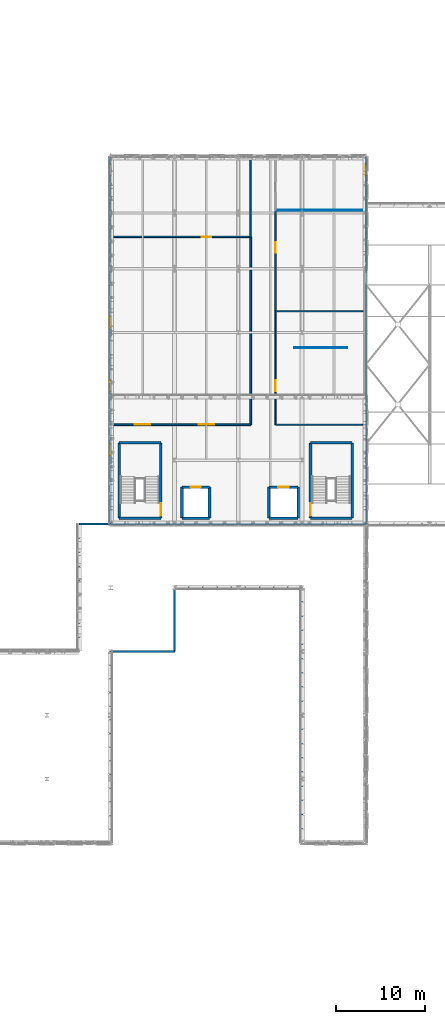
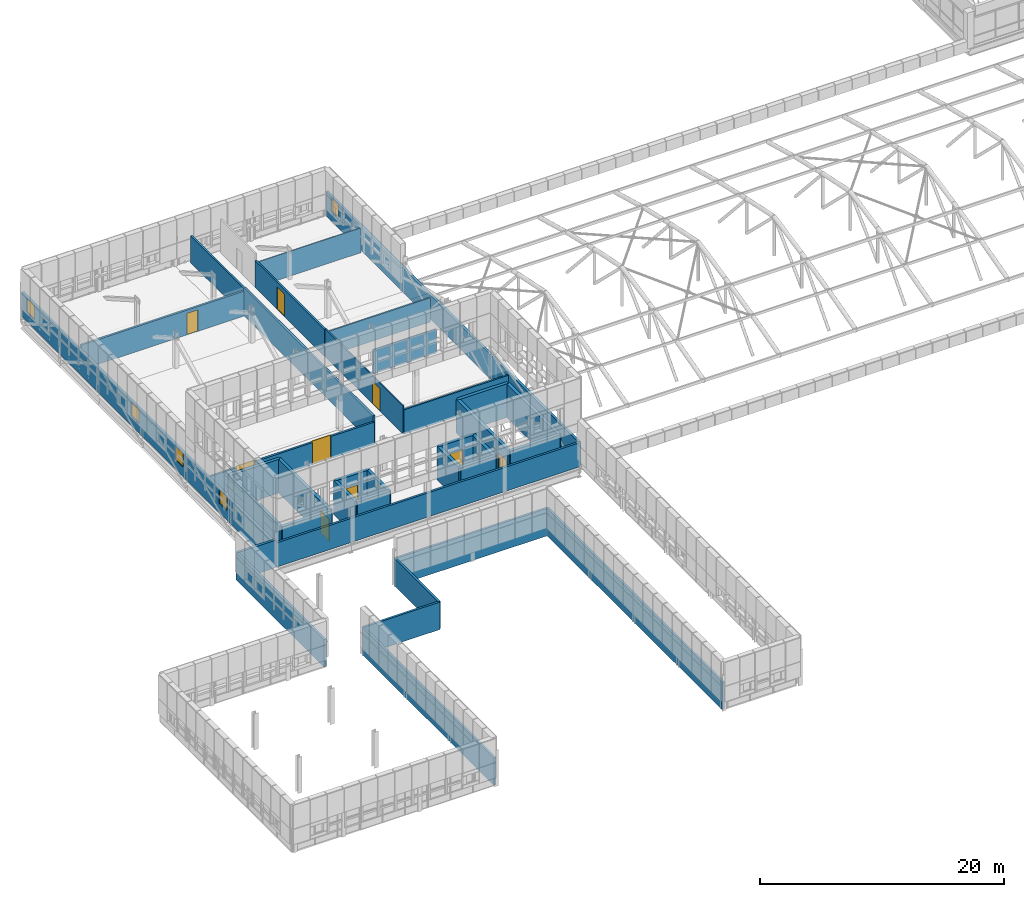
# One storey, part 57 of 96: 36 walls, 9 doors, 5 windows, 14 openings.
"""IFC4 building model written with IfcOpenShell, lengths in metres."""

from ifc_helpers import new_model, si_unit, direction, frame, frame_2d, origin, place, context, subcontext, project, spatial, rectangle, extrude, material, layer, layer_set, type_object, element, fill, save


model = new_model("IFC4")

# Units and contexts
model_context = context("Model", 3, precision=1e-05, world=origin(), true_north=direction((0.0, 1.0)))
body_context = subcontext(model_context, "Body", "Model", "MODEL_VIEW")
ifc_project = project(units=[si_unit("LENGTHUNIT", "METRE"), si_unit("AREAUNIT", "SQUARE_METRE"), si_unit("VOLUMEUNIT", "CUBIC_METRE"), si_unit("PLANEANGLEUNIT", "RADIAN"), si_unit("MASSUNIT", "GRAM", prefix="KILO")], contexts=[model_context])

# Site, building, storey
site_placement = place(None, origin())
site = spatial("IfcSite", under=ifc_project, at=site_placement, CompositionType="ELEMENT")
building_placement = place(site_placement, origin())
building = spatial("IfcBuilding", under=site, at=building_placement, Name="Yarey Park Central Fire Station", CompositionType="ELEMENT")
storey_placement = place(building_placement, frame((0.0, 0.0, 14.39990234375)))
storey = spatial("IfcBuildingStorey", under=building, at=storey_placement, Name="L04", CompositionType="ELEMENT", Elevation=14.39990234375)

# Walls
ifc_material_1 = material(Name="Concrete C35/45", Category="concrete")
ifc_layer_1 = layer(ifc_material_1, 0.205078125)
ifc_layer_set_1 = layer_set([ifc_layer_1], Name="Concrete C35/45")
wall_type_1 = type_object("IfcWallType", Name="ENV_WALL_INS205", PredefinedType="STANDARD", material=ifc_layer_set_1)
wall_1_placement = place(storey_placement, frame((36.0, 50.39990234375, 0.0), z_axis=(0.0, 0.0, 1.0), x_axis=(1.0, 0.0, 0.0)))
element("IfcWall", 1, at=wall_1_placement, inside=storey, type_object=wall_type_1, Name="EW_L04_CTYD_N", PredefinedType="STANDARD", context=body_context, shape_type="SweptSolid", body=[
    extrude(rectangle(XDim=14.39990234375, YDim=0.205078125, at=frame_2d((7.199951171875, 0.0))), origin(), (0.0, 0.0, 1.0), 2.75),
])
wall_2_placement = place(storey_placement, frame((28.800048828125, 21.60009765625, 0.0), z_axis=(0.0, 0.0, 1.0), x_axis=(0.0, 1.0, 0.0)))
element("IfcWall", 2, at=wall_2_placement, inside=storey, type_object=wall_type_1, Name="EW_L04_CTYD_W1", PredefinedType="STANDARD", context=body_context, shape_type="SweptSolid", body=[
    extrude(rectangle(XDim=21.599853515625, YDim=0.205078125, at=frame_2d((10.7998046875, 0.0))), origin(), (0.0, 0.0, 1.0), 2.75),
])
for number, where, z_axis, x_axis, name in (
    (3, (28.800048828125, 43.199951171875, 0.0), (0.0, 0.0, 1.0), (1.0, 0.0, 0.0), "EW_L04_CTYD_WS"),
    (4, (36.0, 43.199951171875, 0.0), (0.0, 0.0, 1.0), (0.0, 1.0, 0.0), "EW_L04_CTYD_W2"),
):
    element("IfcWall", number, at=place(storey_placement, frame(where, z_axis=z_axis, x_axis=x_axis)), inside=storey, type_object=wall_type_1, Name=name, PredefinedType="STANDARD", context=body_context, shape_type="SweptSolid", body=[
        extrude(rectangle(XDim=7.199951171875, YDim=0.205078125, at=frame_2d((3.60009765625, 0.0))), origin(), (0.0, 0.0, 1.0), 2.75),
    ])
wall_3_placement = place(storey_placement, frame((50.39990234375, 50.39990234375, 0.0), z_axis=(0.0, 0.0, 1.0), x_axis=(0.0, -1.0, 0.0)))
element("IfcWall", 5, at=wall_3_placement, inside=storey, type_object=wall_type_1, Name="EW_L04_CTYD_E", PredefinedType="STANDARD", context=body_context, shape_type="SweptSolid", body=[
    extrude(rectangle(XDim=28.7998046875, YDim=0.205078125, at=frame_2d((14.39990234375, 0.0))), origin(), (0.0, 0.0, 1.0), 2.75),
])
wall_4_placement = place(storey_placement, frame((28.800048828125, 57.60009765625, 0.0), z_axis=(0.0, 0.0, 1.0), x_axis=(1.0, 0.0, 0.0)))
element("IfcWall", 6, at=wall_4_placement, inside=storey, type_object=wall_type_1, Name="EW_L04_DH_SEP", PredefinedType="STANDARD", context=body_context, shape_type="SweptSolid", body=[
    extrude(rectangle(XDim=28.800048828125, YDim=0.205078125, at=frame_2d((14.39990234375, 0.0))), origin(), (0.0, 0.0, 1.0), 2.420166015625),
])
ifc_layer_2 = layer(ifc_material_1, 0.22998046875)
ifc_layer_set_2 = layer_set([ifc_layer_2], Name="Concrete C35/45")
wall_type_2 = type_object("IfcWallType", Name="ENV_WALL_INS230", PredefinedType="STANDARD", material=ifc_layer_set_2)
wall_5_placement = place(storey_placement, frame((28.800048828125, 57.60009765625, 0.0), z_axis=(0.0, 0.0, 1.0), x_axis=(-1.0, 0.0, 0.0)))
element("IfcWall", 7, at=wall_5_placement, inside=storey, type_object=wall_type_2, Name="EW_L04_V1_STEP_W", PredefinedType="STANDARD", context=body_context, shape_type="SweptSolid", body=[
    extrude(rectangle(XDim=3.60009765625, YDim=0.22998046875, at=frame_2d((1.800048828125, 0.0))), origin(), (0.0, 0.0, 1.0), 2.75),
])
wall_6_placement = place(storey_placement, frame((25.199951171875, 57.60009765625, 0.0), z_axis=(0.0, 0.0, 1.0), x_axis=(0.0, -1.0, 0.0)))
element("IfcWall", 8, at=wall_6_placement, inside=storey, type_object=wall_type_2, Name="EW_L04_V1_W_COR", PredefinedType="STANDARD", context=body_context, shape_type="SweptSolid", body=[
    extrude(rectangle(XDim=14.400146484375, YDim=0.22998046875, at=frame_2d((7.2001953125, 0.0))), origin(), (0.0, 0.0, 1.0), 2.75),
])

# Wall, openings, windows
wall_7_placement = place(storey_placement, frame((28.800048828125, 99.0, 0.0), z_axis=(0.0, 0.0, 1.0), x_axis=(0.0, -1.0, 0.0)))
wall_7 = element("IfcWall", 9, at=wall_7_placement, inside=storey, type_object=wall_type_2, Name="EW_L04_V3_W", PredefinedType="STANDARD", context=body_context, shape_type="SweptSolid", body=[
    extrude(rectangle(XDim=41.39990234375, YDim=0.22998046875, at=frame_2d((20.699951171875, 0.0))), origin(), (0.0, 0.0, 1.0), 2.420166015625),
])
opening_1_placement = place(wall_7_placement, frame((32.389892578125, 0.0, 0.949951171875)))
opening_1 = element("IfcOpeningElement", 10, at=opening_1_placement, cuts=wall_7, Name="Opening WN-DT126", PredefinedType="OPENING", context=body_context, shape_type="SweptSolid", body=[
    extrude(rectangle(XDim=1.260009765625, YDim=1.3798828125, at=frame_2d((0.6298828125, 0.68994140625))), frame((0.0, 0.125, 0.0), z_axis=(0.0, -1.0, 0.0), x_axis=(1.0, 0.0, 0.0)), (0.0, 0.0, 1.0), 0.25),
])
opening_2_placement = place(wall_7_placement, frame((25.18994140625, 0.0, 0.949951171875)))
opening_2 = element("IfcOpeningElement", 11, at=opening_2_placement, cuts=wall_7, Name="Opening WN-DT126", PredefinedType="OPENING", context=body_context, shape_type="SweptSolid", body=[
    extrude(rectangle(XDim=1.260009765625, YDim=1.3798828125, at=frame_2d((0.6298828125, 0.68994140625))), frame((0.0, 0.125, 0.0), z_axis=(0.0, -1.0, 0.0), x_axis=(1.0, 0.0, 0.0)), (0.0, 0.0, 1.0), 0.25),
])
opening_3_placement = place(wall_7_placement, frame((17.989990234375, 0.0, 0.949951171875)))
opening_3 = element("IfcOpeningElement", 12, at=opening_3_placement, cuts=wall_7, Name="Opening WN-DT126", PredefinedType="OPENING", context=body_context, shape_type="SweptSolid", body=[
    extrude(rectangle(XDim=1.260009765625, YDim=1.3798828125, at=frame_2d((0.6298828125, 0.68994140625))), frame((0.0, 0.125, 0.0), z_axis=(0.0, -1.0, 0.0), x_axis=(1.0, 0.0, 0.0)), (0.0, 0.0, 1.0), 0.25),
])
opening_4_placement = place(wall_7_placement, frame((0.840087890625, 0.0, 0.949951171875)))
opening_4 = element("IfcOpeningElement", 13, at=opening_4_placement, cuts=wall_7, Name="Opening WN-DT126", PredefinedType="OPENING", context=body_context, shape_type="SweptSolid", body=[
    extrude(rectangle(XDim=1.260009765625, YDim=1.3798828125, at=frame_2d((0.6298828125, 0.68994140625))), frame((0.0, 0.125, 0.0), z_axis=(0.0, -1.0, 0.0), x_axis=(1.0, 0.0, 0.0)), (0.0, 0.0, 1.0), 0.25),
])
ifc_material_2 = material(Name="Laminated Hurricane Low-E Glass", Category="glass")
window_type = type_object("IfcWindowType", Name="ENV_WIN_DT_126", PartitioningType="SINGLE_PANEL", PredefinedType="WINDOW", material=ifc_material_2)
window_1_placement = place(opening_1_placement, origin())
window_1 = element("IfcWindow", 14, at=window_1_placement, inside=storey, type_object=window_type, Name="WIN_L04_DORM_1", OverallHeight=1.3798828125, OverallWidth=1.260009765625, PartitioningType="SINGLE_PANEL", PredefinedType="WINDOW", context=body_context, shape_type="SweptSolid", body=[
    extrude(rectangle(XDim=1.260009765625, YDim=1.3798828125, at=frame_2d((0.6298828125, 0.68994140625))), frame((0.0, 0.030029296875, 0.0), z_axis=(0.0, -1.0, 0.0), x_axis=(1.0, 0.0, 0.0)), (0.0, 0.0, 1.0), 0.06005859375),
])
fill(opening_1, window_1)
window_2_placement = place(opening_2_placement, origin())
window_2 = element("IfcWindow", 15, at=window_2_placement, inside=storey, type_object=window_type, Name="WIN_L04_DORM_2", OverallHeight=1.3798828125, OverallWidth=1.260009765625, PartitioningType="SINGLE_PANEL", PredefinedType="WINDOW", context=body_context, shape_type="SweptSolid", body=[
    extrude(rectangle(XDim=1.260009765625, YDim=1.3798828125, at=frame_2d((0.6298828125, 0.68994140625))), frame((0.0, 0.030029296875, 0.0), z_axis=(0.0, -1.0, 0.0), x_axis=(1.0, 0.0, 0.0)), (0.0, 0.0, 1.0), 0.06005859375),
])
fill(opening_2, window_2)
window_3_placement = place(opening_3_placement, origin())
window_3 = element("IfcWindow", 16, at=window_3_placement, inside=storey, type_object=window_type, Name="WIN_L04_DORM_3", OverallHeight=1.3798828125, OverallWidth=1.260009765625, PartitioningType="SINGLE_PANEL", PredefinedType="WINDOW", context=body_context, shape_type="SweptSolid", body=[
    extrude(rectangle(XDim=1.260009765625, YDim=1.3798828125, at=frame_2d((0.6298828125, 0.68994140625))), frame((0.0, 0.030029296875, 0.0), z_axis=(0.0, -1.0, 0.0), x_axis=(1.0, 0.0, 0.0)), (0.0, 0.0, 1.0), 0.06005859375),
])
fill(opening_3, window_3)
window_4_placement = place(opening_4_placement, origin())
window_4 = element("IfcWindow", 17, at=window_4_placement, inside=storey, type_object=window_type, Name="WIN_L04_DORM_4", OverallHeight=1.3798828125, OverallWidth=1.260009765625, PartitioningType="SINGLE_PANEL", PredefinedType="WINDOW", context=body_context, shape_type="SweptSolid", body=[
    extrude(rectangle(XDim=1.260009765625, YDim=1.3798828125, at=frame_2d((0.6298828125, 0.68994140625))), frame((0.0, 0.030029296875, 0.0), z_axis=(0.0, -1.0, 0.0), x_axis=(1.0, 0.0, 0.0)), (0.0, 0.0, 1.0), 0.06005859375),
])
fill(opening_4, window_4)

# Wall, opening, window
wall_8_placement = place(storey_placement, frame((57.60009765625, 57.60009765625, 0.0), z_axis=(0.0, 0.0, 1.0), x_axis=(0.0, 1.0, 0.0)))
wall_8 = element("IfcWall", 18, at=wall_8_placement, inside=storey, type_object=wall_type_2, Name="EW_L04_V3_E", PredefinedType="STANDARD", context=body_context, shape_type="SweptSolid", body=[
    extrude(rectangle(XDim=41.39990234375, YDim=0.22998046875, at=frame_2d((20.699951171875, 0.0))), origin(), (0.0, 0.0, 1.0), 2.420166015625),
])
opening_5_placement = place(wall_8_placement, frame((39.300048828125, 0.0, 0.949951171875)))
opening_5 = element("IfcOpeningElement", 19, at=opening_5_placement, cuts=wall_8, Name="Opening WN-DT126", PredefinedType="OPENING", context=body_context, shape_type="SweptSolid", body=[
    extrude(rectangle(XDim=1.260009765625, YDim=1.3798828125, at=frame_2d((0.6298828125, 0.68994140625))), frame((0.0, 0.125, 0.0), z_axis=(0.0, -1.0, 0.0), x_axis=(1.0, 0.0, 0.0)), (0.0, 0.0, 1.0), 0.25),
])
window_5_placement = place(opening_5_placement, origin())
window_5 = element("IfcWindow", 20, at=window_5_placement, inside=storey, type_object=window_type, Name="WIN_L04_EAST_1", OverallHeight=1.3798828125, OverallWidth=1.260009765625, PartitioningType="SINGLE_PANEL", PredefinedType="WINDOW", context=body_context, shape_type="SweptSolid", body=[
    extrude(rectangle(XDim=1.260009765625, YDim=1.3798828125, at=frame_2d((0.6298828125, 0.68994140625))), frame((0.0, 0.030029296875, 0.0), z_axis=(0.0, -1.0, 0.0), x_axis=(1.0, 0.0, 0.0)), (0.0, 0.0, 1.0), 0.06005859375),
])
fill(opening_5, window_5)

# Wall
ifc_material_3 = material(Name="Concrete C40/50", Category="concrete")
ifc_layer_3 = layer(ifc_material_3, 0.27001953125)
ifc_layer_set_3 = layer_set([ifc_layer_3], Name="Concrete C40/50")
wall_type_3 = type_object("IfcWallType", Name="INT_CORE_RC270", PredefinedType="SHEAR", material=ifc_layer_set_3)
wall_9_placement = place(storey_placement, frame((36.85009765625, 58.25, 0.0), z_axis=(0.0, 0.0, 1.0), x_axis=(1.0, 0.0, 0.0)))
element("IfcWall", 21, at=wall_9_placement, inside=storey, type_object=wall_type_3, Name="LWALL_C3_L04_S", PredefinedType="SHEAR", context=body_context, shape_type="SweptSolid", body=[
    extrude(rectangle(XDim=3.099853515625, YDim=0.300048828125, at=frame_2d((1.5498046875, 0.0))), origin(), (0.0, 0.0, 1.0), 3.360107421875),
])

# Wall, opening, door
wall_10_placement = place(storey_placement, frame((39.949951171875, 61.75, 0.0), z_axis=(0.0, 0.0, 1.0), x_axis=(-1.0, 0.0, 0.0)))
wall_10 = element("IfcWall", 22, at=wall_10_placement, inside=storey, type_object=wall_type_3, Name="LWALL_C3_L04_N", PredefinedType="SHEAR", context=body_context, shape_type="SweptSolid", body=[
    extrude(rectangle(XDim=3.099853515625, YDim=0.300048828125, at=frame_2d((1.5498046875, 0.0))), origin(), (0.0, 0.0, 1.0), 3.360107421875),
])
opening_6_placement = place(wall_10_placement, frame((1.0, 0.0, 0.0)))
opening_6 = element("IfcOpeningElement", 23, at=opening_6_placement, cuts=wall_10, Name="Opening LD-11", PredefinedType="OPENING", context=body_context, shape_type="SweptSolid", body=[
    extrude(rectangle(XDim=1.10009765625, YDim=2.219970703125, at=frame_2d((0.550048828125, 1.10986328125))), frame((0.0, 0.159912109375, 0.0), z_axis=(0.0, -1.0, 0.0), x_axis=(1.0, 0.0, 0.0)), (0.0, 0.0, 1.0), 0.320068359375),
])
ifc_material_4 = material(Name="Stainless Steel AISI 316L", Category="steel")
door_type_1 = type_object("IfcDoorType", Name="DR_LD_1100", OperationType="NOTDEFINED", PredefinedType="DOOR", material=ifc_material_4)
door_1_placement = place(opening_6_placement, origin())
door_1 = element("IfcDoor", 24, at=door_1_placement, inside=storey, type_object=door_type_1, Name="Lift Landing Door LF-3-L04", OperationType="SLIDING_TO_LEFT", OverallHeight=2.219970703125, OverallWidth=1.10009765625, PredefinedType="DOOR", context=body_context, shape_type="SweptSolid", body=[
    extrude(rectangle(XDim=1.10009765625, YDim=2.219970703125, at=frame_2d((0.550048828125, 1.10986328125))), frame((0.0, 0.02490234375, 0.0), z_axis=(0.0, -1.0, 0.0), x_axis=(1.0, 0.0, 0.0)), (0.0, 0.0, 1.0), 0.050048828125),
])
fill(opening_6, door_1)

# Walls
for number, where, z_axis, x_axis, name in (
    (25, (36.85009765625, 61.75, 0.0), (0.0, 0.0, 1.0), (0.0, -1.0, 0.0), "LWALL_C3_L04_W"),
    (26, (39.949951171875, 58.25, 0.0), (0.0, 0.0, 1.0), (0.0, 1.0, 0.0), "LWALL_C3_L04_E"),
):
    element("IfcWall", number, at=place(storey_placement, frame(where, z_axis=z_axis, x_axis=x_axis)), inside=storey, type_object=wall_type_3, Name=name, PredefinedType="SHEAR", context=body_context, shape_type="SweptSolid", body=[
        extrude(rectangle(XDim=3.5, YDim=0.300048828125, at=frame_2d((1.75, 0.0))), origin(), (0.0, 0.0, 1.0), 3.360107421875),
    ])
wall_11_placement = place(storey_placement, frame((46.64990234375, 58.25, 0.0), z_axis=(0.0, 0.0, 1.0), x_axis=(1.0, 0.0, 0.0)))
element("IfcWall", 27, at=wall_11_placement, inside=storey, type_object=wall_type_3, Name="LWALL_C4_L04_S", PredefinedType="SHEAR", context=body_context, shape_type="SweptSolid", body=[
    extrude(rectangle(XDim=3.300048828125, YDim=0.300048828125, at=frame_2d((1.64990234375, 0.0))), origin(), (0.0, 0.0, 1.0), 3.360107421875),
])

# Wall, opening, door
wall_12_placement = place(storey_placement, frame((49.949951171875, 61.75, 0.0), z_axis=(0.0, 0.0, 1.0), x_axis=(-1.0, 0.0, 0.0)))
wall_12 = element("IfcWall", 28, at=wall_12_placement, inside=storey, type_object=wall_type_3, Name="LWALL_C4_L04_N", PredefinedType="SHEAR", context=body_context, shape_type="SweptSolid", body=[
    extrude(rectangle(XDim=3.300048828125, YDim=0.300048828125, at=frame_2d((1.64990234375, 0.0))), origin(), (0.0, 0.0, 1.0), 3.360107421875),
])
opening_7_placement = place(wall_12_placement, frame((1.050048828125, 0.0, 0.0)))
opening_7 = element("IfcOpeningElement", 29, at=opening_7_placement, cuts=wall_12, Name="Opening LD-12", PredefinedType="OPENING", context=body_context, shape_type="SweptSolid", body=[
    extrude(rectangle(XDim=1.199951171875, YDim=2.260009765625, at=frame_2d((0.60009765625, 1.1298828125))), frame((0.0, 0.159912109375, 0.0), z_axis=(0.0, -1.0, 0.0), x_axis=(1.0, 0.0, 0.0)), (0.0, 0.0, 1.0), 0.320068359375),
])
door_type_2 = type_object("IfcDoorType", Name="DR_LD_1200", OperationType="NOTDEFINED", PredefinedType="DOOR", material=ifc_material_4)
door_2_placement = place(opening_7_placement, origin())
door_2 = element("IfcDoor", 30, at=door_2_placement, inside=storey, type_object=door_type_2, Name="Lift Landing Door LF-4-L04", OperationType="SLIDING_TO_LEFT", OverallHeight=2.260009765625, OverallWidth=1.199951171875, PredefinedType="DOOR", context=body_context, shape_type="SweptSolid", body=[
    extrude(rectangle(XDim=1.199951171875, YDim=2.260009765625, at=frame_2d((0.60009765625, 1.1298828125))), frame((0.0, 0.02490234375, 0.0), z_axis=(0.0, -1.0, 0.0), x_axis=(1.0, 0.0, 0.0)), (0.0, 0.0, 1.0), 0.050048828125),
])
fill(opening_7, door_2)

# Walls
for number, where, z_axis, x_axis, name in (
    (31, (46.64990234375, 61.75, 0.0), (0.0, 0.0, 1.0), (0.0, -1.0, 0.0), "LWALL_C4_L04_W"),
    (32, (49.949951171875, 58.25, 0.0), (0.0, 0.0, 1.0), (0.0, 1.0, 0.0), "LWALL_C4_L04_E"),
):
    element("IfcWall", number, at=place(storey_placement, frame(where, z_axis=z_axis, x_axis=x_axis)), inside=storey, type_object=wall_type_3, Name=name, PredefinedType="SHEAR", context=body_context, shape_type="SweptSolid", body=[
        extrude(rectangle(XDim=3.5, YDim=0.300048828125, at=frame_2d((1.75, 0.0))), origin(), (0.0, 0.0, 1.0), 3.360107421875),
    ])
ifc_layer_4 = layer(ifc_material_3, 0.300048828125)
ifc_layer_set_4 = layer_set([ifc_layer_4], Name="Concrete C40/50")
wall_type_4 = type_object("IfcWallType", Name="INT_CORE_RC300", PredefinedType="SHEAR", material=ifc_layer_set_4)
for number, where, z_axis, x_axis, name in (
    (33, (29.75, 58.25, 0.0), (0.0, 0.0, 1.0), (1.0, 0.0, 0.0), "CWALL_C3_L04_S"),
    (34, (34.449951171875, 66.75, 0.0), (0.0, 0.0, 1.0), (-1.0, 0.0, 0.0), "CWALL_C3_L04_N"),
):
    element("IfcWall", number, at=place(storey_placement, frame(where, z_axis=z_axis, x_axis=x_axis)), inside=storey, type_object=wall_type_4, Name=name, PredefinedType="SHEAR", context=body_context, shape_type="SweptSolid", body=[
        extrude(rectangle(XDim=4.699951171875, YDim=0.300048828125, at=frame_2d((2.35009765625, 0.0))), origin(), (0.0, 0.0, 1.0), 3.360107421875),
    ])
wall_13_placement = place(storey_placement, frame((29.75, 66.75, 0.0), z_axis=(0.0, 0.0, 1.0), x_axis=(0.0, -1.0, 0.0)))
element("IfcWall", 35, at=wall_13_placement, inside=storey, type_object=wall_type_4, Name="CWALL_C3_L04_W", PredefinedType="SHEAR", context=body_context, shape_type="SweptSolid", body=[
    extrude(rectangle(XDim=8.5, YDim=0.300048828125, at=frame_2d((4.25, 0.0))), origin(), (0.0, 0.0, 1.0), 3.360107421875),
])

# Wall, opening, door
wall_14_placement = place(storey_placement, frame((34.449951171875, 58.25, 0.0), z_axis=(0.0, 0.0, 1.0), x_axis=(0.0, 1.0, 0.0)))
wall_14 = element("IfcWall", 36, at=wall_14_placement, inside=storey, type_object=wall_type_4, Name="CWALL_C3_L04_E", PredefinedType="SHEAR", context=body_context, shape_type="SweptSolid", body=[
    extrude(rectangle(XDim=8.5, YDim=0.300048828125, at=frame_2d((4.25, 0.0))), origin(), (0.0, 0.0, 1.0), 3.360107421875),
])
opening_8_placement = place(wall_14_placement, frame((0.25, 0.0, 0.0)))
opening_8 = element("IfcOpeningElement", 37, at=opening_8_placement, cuts=wall_14, Name="Opening SD-146", PredefinedType="OPENING", context=body_context, shape_type="SweptSolid", body=[
    extrude(rectangle(XDim=1.4599609375, YDim=2.239990234375, at=frame_2d((0.72998046875, 1.1201171875))), frame((0.0, 0.159912109375, 0.0), z_axis=(0.0, -1.0, 0.0), x_axis=(1.0, 0.0, 0.0)), (0.0, 0.0, 1.0), 0.320068359375),
])
ifc_material_5 = material(Name="Galvanized Hollow Metal Door", Category="metal")
door_type_3 = type_object("IfcDoorType", Name="DR_STAIR_1460", OperationType="NOTDEFINED", PredefinedType="DOOR", material=ifc_material_5)
door_3_placement = place(opening_8_placement, origin())
door_3 = element("IfcDoor", 38, at=door_3_placement, inside=storey, type_object=door_type_3, Name="DOOR_STAIR_C3_L04", OperationType="SINGLE_SWING_RIGHT", OverallHeight=2.239990234375, OverallWidth=1.4599609375, PredefinedType="DOOR", context=body_context, shape_type="SweptSolid", body=[
    extrude(rectangle(XDim=1.4599609375, YDim=2.239990234375, at=frame_2d((0.72998046875, 1.1201171875))), frame((0.0, 0.02490234375, 0.0), z_axis=(0.0, -1.0, 0.0), x_axis=(1.0, 0.0, 0.0)), (0.0, 0.0, 1.0), 0.050048828125),
])
fill(opening_8, door_3)

# Walls
for number, where, z_axis, x_axis, name in (
    (39, (51.35009765625, 58.25, 0.0), (0.0, 0.0, 1.0), (1.0, 0.0, 0.0), "CWALL_C4_L04_S"),
    (40, (56.050048828125, 66.75, 0.0), (0.0, 0.0, 1.0), (-1.0, 0.0, 0.0), "CWALL_C4_L04_N"),
):
    element("IfcWall", number, at=place(storey_placement, frame(where, z_axis=z_axis, x_axis=x_axis)), inside=storey, type_object=wall_type_4, Name=name, PredefinedType="SHEAR", context=body_context, shape_type="SweptSolid", body=[
        extrude(rectangle(XDim=4.699951171875, YDim=0.300048828125, at=frame_2d((2.35009765625, 0.0))), origin(), (0.0, 0.0, 1.0), 3.360107421875),
    ])

# Wall, opening, door
wall_15_placement = place(storey_placement, frame((51.35009765625, 66.75, 0.0), z_axis=(0.0, 0.0, 1.0), x_axis=(0.0, -1.0, 0.0)))
wall_15 = element("IfcWall", 41, at=wall_15_placement, inside=storey, type_object=wall_type_4, Name="CWALL_C4_L04_W", PredefinedType="SHEAR", context=body_context, shape_type="SweptSolid", body=[
    extrude(rectangle(XDim=8.5, YDim=0.300048828125, at=frame_2d((4.25, 0.0))), origin(), (0.0, 0.0, 1.0), 3.360107421875),
])
opening_9_placement = place(wall_15_placement, frame((6.830078125, 0.0, 0.0)))
opening_9 = element("IfcOpeningElement", 42, at=opening_9_placement, cuts=wall_15, Name="Opening SD-142", PredefinedType="OPENING", context=body_context, shape_type="SweptSolid", body=[
    extrude(rectangle(XDim=1.419921875, YDim=2.219970703125, at=frame_2d((0.7099609375, 1.10986328125))), frame((0.0, 0.159912109375, 0.0), z_axis=(0.0, -1.0, 0.0), x_axis=(1.0, 0.0, 0.0)), (0.0, 0.0, 1.0), 0.320068359375),
])
door_type_4 = type_object("IfcDoorType", Name="DR_STAIR_1420", OperationType="NOTDEFINED", PredefinedType="DOOR", material=ifc_material_5)
door_4_placement = place(opening_9_placement, origin())
door_4 = element("IfcDoor", 43, at=door_4_placement, inside=storey, type_object=door_type_4, Name="DOOR_STAIR_C4_L04", OperationType="SINGLE_SWING_LEFT", OverallHeight=2.219970703125, OverallWidth=1.419921875, PredefinedType="DOOR", context=body_context, shape_type="SweptSolid", body=[
    extrude(rectangle(XDim=1.419921875, YDim=2.219970703125, at=frame_2d((0.7099609375, 1.10986328125))), frame((0.0, 0.02490234375, 0.0), z_axis=(0.0, -1.0, 0.0), x_axis=(1.0, 0.0, 0.0)), (0.0, 0.0, 1.0), 0.050048828125),
])
fill(opening_9, door_4)

# Walls
wall_16_placement = place(storey_placement, frame((56.050048828125, 58.25, 0.0), z_axis=(0.0, 0.0, 1.0), x_axis=(0.0, 1.0, 0.0)))
element("IfcWall", 44, at=wall_16_placement, inside=storey, type_object=wall_type_4, Name="CWALL_C4_L04_E", PredefinedType="SHEAR", context=body_context, shape_type="SweptSolid", body=[
    extrude(rectangle(XDim=8.5, YDim=0.300048828125, at=frame_2d((4.25, 0.0))), origin(), (0.0, 0.0, 1.0), 3.360107421875),
])
ifc_material_6 = material(Name="Gypsum Shaftliner Assembly", Category="gypsum")
ifc_layer_5 = layer(ifc_material_6, 0.14990234375)
ifc_layer_set_5 = layer_set([ifc_layer_5], Name="Gypsum Shaftliner Assembly")
wall_type_5 = type_object("IfcWallType", Name="INT_WALL_AC150", PredefinedType="STANDARD", material=ifc_layer_set_5)
wall_17_placement = place(storey_placement, frame((47.39990234375, 68.800048828125, 0.0), z_axis=(0.0, 0.0, 1.0), x_axis=(1.0, 0.0, 0.0)))
element("IfcWall", 45, at=wall_17_placement, inside=storey, type_object=wall_type_5, Name="PART_SPC_L04_SIM1_SOUTH", PredefinedType="STANDARD", context=body_context, shape_type="SweptSolid", body=[
    extrude(rectangle(XDim=9.900146484375, YDim=0.14990234375, at=frame_2d((4.9501953125, 0.0))), origin(), (0.0, 0.0, 1.0), 2.447998046875),
])
ifc_layer_6 = layer(ifc_material_6, 0.169921875)
ifc_layer_set_6 = layer_set([ifc_layer_6], Name="Gypsum Shaftliner Assembly")
wall_type_6 = type_object("IfcWallType", Name="INT_WALL_AC170", PredefinedType="STANDARD", material=ifc_layer_set_6)
wall_18_placement = place(storey_placement, frame((44.60009765625, 90.0, 0.0), z_axis=(0.0, 0.0, 1.0), x_axis=(0.0, 1.0, 0.0)))
element("IfcWall", 46, at=wall_18_placement, inside=storey, type_object=wall_type_6, Name="PART_SPC_L04_AV_EAST", PredefinedType="STANDARD", context=body_context, shape_type="SweptSolid", body=[
    extrude(rectangle(XDim=8.699951171875, YDim=0.169921875, at=frame_2d((4.35009765625, 0.0))), origin(), (0.0, 0.0, 1.0), 2.697021484375),
])

# Wall, opening, door
wall_19_placement = place(storey_placement, frame((47.39990234375, 93.0, 0.0), z_axis=(0.0, 0.0, 1.0), x_axis=(0.0, -1.0, 0.0)))
wall_19 = element("IfcWall", 47, at=wall_19_placement, inside=storey, type_object=wall_type_6, Name="PART_SPC_L04_LIB_WEST", PredefinedType="STANDARD", context=body_context, shape_type="SweptSolid", body=[
    extrude(rectangle(XDim=11.39990234375, YDim=0.169921875, at=frame_2d((5.699951171875, 0.0))), origin(), (0.0, 0.0, 1.0), 2.697021484375),
])
opening_10_placement = place(wall_19_placement, frame((3.60009765625, 0.0, 0.0)))
opening_10 = element("IfcOpeningElement", 48, at=opening_10_placement, cuts=wall_19, Name="Opening ID-120", PredefinedType="OPENING", context=body_context, shape_type="SweptSolid", body=[
    extrude(rectangle(XDim=1.199951171875, YDim=2.239990234375, at=frame_2d((0.60009765625, 1.1201171875))), frame((0.0, 0.094970703125, 0.0), z_axis=(0.0, -1.0, 0.0), x_axis=(1.0, 0.0, 0.0)), (0.0, 0.0, 1.0), 0.18994140625),
])
ifc_material_7 = material(Name="Hardwood Acoustic Leaf", Category="wood")
door_type_5 = type_object("IfcDoorType", Name="DR_INT_1200", OperationType="NOTDEFINED", PredefinedType="DOOR", material=ifc_material_7)
door_5_placement = place(opening_10_placement, origin())
door_5 = element("IfcDoor", 49, at=door_5_placement, inside=storey, type_object=door_type_5, Name="DOOR_SPC_L04_LIB", OperationType="SINGLE_SWING_LEFT", OverallHeight=2.239990234375, OverallWidth=1.199951171875, PredefinedType="DOOR", context=body_context, shape_type="SweptSolid", body=[
    extrude(rectangle(XDim=1.199951171875, YDim=2.239990234375, at=frame_2d((0.60009765625, 1.1201171875))), frame((0.0, 0.02490234375, 0.0), z_axis=(0.0, -1.0, 0.0), x_axis=(1.0, 0.0, 0.0)), (0.0, 0.0, 1.0), 0.050048828125),
])
fill(opening_10, door_5)

# Wall, openings, doors
ifc_layer_7 = layer(ifc_material_1, 0.18994140625)
ifc_layer_set_7 = layer_set([ifc_layer_7], Name="Concrete C35/45")
wall_type_7 = type_object("IfcWallType", Name="INT_WALL_CMU190", PredefinedType="STANDARD", material=ifc_layer_set_7)
wall_20_placement = place(storey_placement, frame((44.60009765625, 68.800048828125, 0.0), z_axis=(0.0, 0.0, 1.0), x_axis=(-1.0, 0.0, 0.0)))
wall_20 = element("IfcWall", 50, at=wall_20_placement, inside=storey, type_object=wall_type_7, Name="PART_SPC_L04_LECTURE_SOUTH", PredefinedType="STANDARD", context=body_context, shape_type="SweptSolid", body=[
    extrude(rectangle(XDim=15.5, YDim=0.18994140625, at=frame_2d((7.75, 0.0))), origin(), (0.0, 0.0, 1.0), 2.217041015625),
])
opening_11_placement = place(wall_20_placement, frame((11.320068359375, 0.0, 0.0)))
opening_11 = element("IfcOpeningElement", 51, at=opening_11_placement, cuts=wall_20, Name="Opening FD-176", PredefinedType="OPENING", context=body_context, shape_type="SweptSolid", body=[
    extrude(rectangle(XDim=1.760009765625, YDim=2.320068359375, at=frame_2d((0.8798828125, 1.16015625))), frame((0.0, 0.10498046875, 0.0), z_axis=(0.0, -1.0, 0.0), x_axis=(1.0, 0.0, 0.0)), (0.0, 0.0, 1.0), 0.2099609375),
])
opening_12_placement = place(wall_20_placement, frame((4.1201171875, 0.0, 0.0)))
opening_12 = element("IfcOpeningElement", 52, at=opening_12_placement, cuts=wall_20, Name="Opening FD-176", PredefinedType="OPENING", context=body_context, shape_type="SweptSolid", body=[
    extrude(rectangle(XDim=1.760009765625, YDim=2.320068359375, at=frame_2d((0.8798828125, 1.16015625))), frame((0.0, 0.10498046875, 0.0), z_axis=(0.0, -1.0, 0.0), x_axis=(1.0, 0.0, 0.0)), (0.0, 0.0, 1.0), 0.2099609375),
])
door_type_6 = type_object("IfcDoorType", Name="DR_FD_1760", OperationType="NOTDEFINED", PredefinedType="DOOR", material=ifc_material_5)
door_6_placement = place(opening_11_placement, origin())
door_6 = element("IfcDoor", 53, at=door_6_placement, inside=storey, type_object=door_type_6, Name="DOOR_SPC_L04_LECTURE", OperationType="SINGLE_SWING_LEFT", OverallHeight=2.320068359375, OverallWidth=1.760009765625, PredefinedType="DOOR", context=body_context, shape_type="SweptSolid", body=[
    extrude(rectangle(XDim=1.760009765625, YDim=2.320068359375, at=frame_2d((0.8798828125, 1.16015625))), frame((0.0, 0.02490234375, 0.0), z_axis=(0.0, -1.0, 0.0), x_axis=(1.0, 0.0, 0.0)), (0.0, 0.0, 1.0), 0.050048828125),
])
fill(opening_11, door_6)
door_7_placement = place(opening_12_placement, origin())
door_7 = element("IfcDoor", 54, at=door_7_placement, inside=storey, type_object=door_type_6, Name="DOOR_SPC_L04_LECTURE_2", OperationType="SINGLE_SWING_RIGHT", OverallHeight=2.320068359375, OverallWidth=1.760009765625, PredefinedType="DOOR", context=body_context, shape_type="SweptSolid", body=[
    extrude(rectangle(XDim=1.760009765625, YDim=2.320068359375, at=frame_2d((0.8798828125, 1.16015625))), frame((0.0, 0.02490234375, 0.0), z_axis=(0.0, -1.0, 0.0), x_axis=(1.0, 0.0, 0.0)), (0.0, 0.0, 1.0), 0.050048828125),
])
fill(opening_12, door_7)

# Wall, opening, door
wall_21_placement = place(storey_placement, frame((44.60009765625, 90.0, 0.0), z_axis=(0.0, 0.0, 1.0), x_axis=(-1.0, 0.0, 0.0)))
wall_21 = element("IfcWall", 55, at=wall_21_placement, inside=storey, type_object=wall_type_7, Name="PART_SPC_L04_LECTURE_NORTH", PredefinedType="STANDARD", context=body_context, shape_type="SweptSolid", body=[
    extrude(rectangle(XDim=15.5, YDim=0.18994140625, at=frame_2d((7.75, 0.0))), origin(), (0.0, 0.0, 1.0), 2.47802734375),
])
opening_13_placement = place(wall_21_placement, frame((4.47998046875, 0.0, 0.0)))
opening_13 = element("IfcOpeningElement", 56, at=opening_13_placement, cuts=wall_21, Name="Opening ID-104", PredefinedType="OPENING", context=body_context, shape_type="SweptSolid", body=[
    extrude(rectangle(XDim=1.0400390625, YDim=2.159912109375, at=frame_2d((0.52001953125, 1.080078125))), frame((0.0, 0.10498046875, 0.0), z_axis=(0.0, -1.0, 0.0), x_axis=(1.0, 0.0, 0.0)), (0.0, 0.0, 1.0), 0.2099609375),
])
door_type_7 = type_object("IfcDoorType", Name="DR_INT_1040", OperationType="NOTDEFINED", PredefinedType="DOOR", material=ifc_material_7)
door_8_placement = place(opening_13_placement, origin())
door_8 = element("IfcDoor", 57, at=door_8_placement, inside=storey, type_object=door_type_7, Name="DOOR_SPC_L04_AV", OperationType="SINGLE_SWING_LEFT", OverallHeight=2.159912109375, OverallWidth=1.0400390625, PredefinedType="DOOR", context=body_context, shape_type="SweptSolid", body=[
    extrude(rectangle(XDim=1.0400390625, YDim=2.159912109375, at=frame_2d((0.52001953125, 1.080078125))), frame((0.0, 0.02490234375, 0.0), z_axis=(0.0, -1.0, 0.0), x_axis=(1.0, 0.0, 0.0)), (0.0, 0.0, 1.0), 0.050048828125),
])
fill(opening_13, door_8)

# Walls
wall_22_placement = place(storey_placement, frame((44.60009765625, 68.800048828125, 0.0), z_axis=(0.0, 0.0, 1.0), x_axis=(0.0, 1.0, 0.0)))
element("IfcWall", 58, at=wall_22_placement, inside=storey, type_object=wall_type_7, Name="PART_SPC_L04_LECTURE_EAST", PredefinedType="STANDARD", context=body_context, shape_type="SweptSolid", body=[
    extrude(rectangle(XDim=21.199951171875, YDim=0.18994140625, at=frame_2d((10.60009765625, 0.0))), origin(), (0.0, 0.0, 1.0), 2.802001953125),
])
ifc_material_8 = material(Name="Operable Acoustic Panel Partition", Category="metal")
ifc_layer_8 = layer(ifc_material_8, 0.093994140625)
ifc_layer_set_8 = layer_set([ifc_layer_8], Name="Operable Acoustic Panel Partition")
wall_type_8 = type_object("IfcWallType", Name="INT_WALL_MOV094", PredefinedType="MOVABLE", material=ifc_layer_set_8)
wall_23_placement = place(storey_placement, frame((49.5, 77.5, 0.0), z_axis=(0.0, 0.0, 1.0), x_axis=(1.0, 0.0, 0.0)))
element("IfcWall", 59, at=wall_23_placement, inside=storey, type_object=wall_type_8, Name="MOV_L04_SIM", PredefinedType="MOVABLE", context=body_context, shape_type="SweptSolid", body=[
    extrude(rectangle(XDim=6.0, YDim=0.093994140625, at=frame_2d((3.0, 0.0))), origin(), (0.0, 0.0, 1.0), 2.423095703125),
])
ifc_material_9 = material(Name="Gypsum Acoustic Partition", Category="gypsum")
ifc_layer_9 = layer(ifc_material_9, 0.0859375)
ifc_layer_set_9 = layer_set([ifc_layer_9], Name="Gypsum Acoustic Partition")
wall_type_9 = type_object("IfcWallType", Name="INT_WALL_PT086", PredefinedType="STANDARD", material=ifc_layer_set_9)
wall_24_placement = place(storey_placement, frame((57.300048828125, 93.0, 0.0), z_axis=(0.0, 0.0, 1.0), x_axis=(-1.0, 0.0, 0.0)))
element("IfcWall", 60, at=wall_24_placement, inside=storey, type_object=wall_type_9, Name="PART_SPC_L04_LIB_NORTH", PredefinedType="STANDARD", context=body_context, shape_type="SweptSolid", body=[
    extrude(rectangle(XDim=9.900146484375, YDim=0.0859375, at=frame_2d((4.9501953125, 0.0))), origin(), (0.0, 0.0, 1.0), 2.47802734375),
])

# Wall, opening, door
ifc_layer_10 = layer(ifc_material_9, 0.117919921875)
ifc_layer_set_10 = layer_set([ifc_layer_10], Name="Gypsum Acoustic Partition")
wall_type_10 = type_object("IfcWallType", Name="INT_WALL_PT118", PredefinedType="STANDARD", material=ifc_layer_set_10)
wall_25_placement = place(storey_placement, frame((47.39990234375, 81.60009765625, 0.0), z_axis=(0.0, 0.0, 1.0), x_axis=(0.0, -1.0, 0.0)))
wall_25 = element("IfcWall", 61, at=wall_25_placement, inside=storey, type_object=wall_type_10, Name="PART_SPC_L04_SIM1_WEST", PredefinedType="STANDARD", context=body_context, shape_type="SweptSolid", body=[
    extrude(rectangle(XDim=12.800048828125, YDim=0.117919921875, at=frame_2d((6.39990234375, 0.0))), origin(), (0.0, 0.0, 1.0), 2.802001953125),
])
opening_14_placement = place(wall_25_placement, frame((7.7900390625, 0.0, 0.0)))
opening_14 = element("IfcOpeningElement", 62, at=opening_14_placement, cuts=wall_25, Name="Opening ID-122", PredefinedType="OPENING", context=body_context, shape_type="SweptSolid", body=[
    extrude(rectangle(XDim=1.219970703125, YDim=2.239990234375, at=frame_2d((0.60986328125, 1.1201171875))), frame((0.0, 0.06884765625, 0.0), z_axis=(0.0, -1.0, 0.0), x_axis=(1.0, 0.0, 0.0)), (0.0, 0.0, 1.0), 0.137939453125),
])
door_type_8 = type_object("IfcDoorType", Name="DR_INT_1220", OperationType="NOTDEFINED", PredefinedType="DOOR", material=ifc_material_7)
door_9_placement = place(opening_14_placement, origin())
door_9 = element("IfcDoor", 63, at=door_9_placement, inside=storey, type_object=door_type_8, Name="DOOR_SPC_L04_SIM1", OperationType="SINGLE_SWING_RIGHT", OverallHeight=2.239990234375, OverallWidth=1.219970703125, PredefinedType="DOOR", context=body_context, shape_type="SweptSolid", body=[
    extrude(rectangle(XDim=1.219970703125, YDim=2.239990234375, at=frame_2d((0.60986328125, 1.1201171875))), frame((0.0, 0.02490234375, 0.0), z_axis=(0.0, -1.0, 0.0), x_axis=(1.0, 0.0, 0.0)), (0.0, 0.0, 1.0), 0.050048828125),
])
fill(opening_14, door_9)

# Wall
ifc_layer_11 = layer(ifc_material_9, 0.134033203125)
ifc_layer_set_11 = layer_set([ifc_layer_11], Name="Gypsum Acoustic Partition")
wall_type_11 = type_object("IfcWallType", Name="INT_WALL_PT134", PredefinedType="STANDARD", material=ifc_layer_set_11)
wall_26_placement = place(storey_placement, frame((57.300048828125, 81.60009765625, 0.0), z_axis=(0.0, 0.0, 1.0), x_axis=(-1.0, 0.0, 0.0)))
element("IfcWall", 64, at=wall_26_placement, inside=storey, type_object=wall_type_11, Name="PART_SPC_L04_SIM1_NORTH", PredefinedType="STANDARD", context=body_context, shape_type="SweptSolid", body=[
    extrude(rectangle(XDim=9.900146484375, YDim=0.134033203125, at=frame_2d((4.9501953125, 0.0))), origin(), (0.0, 0.0, 1.0), 2.423095703125),
])

save(model, "model.ifc")
